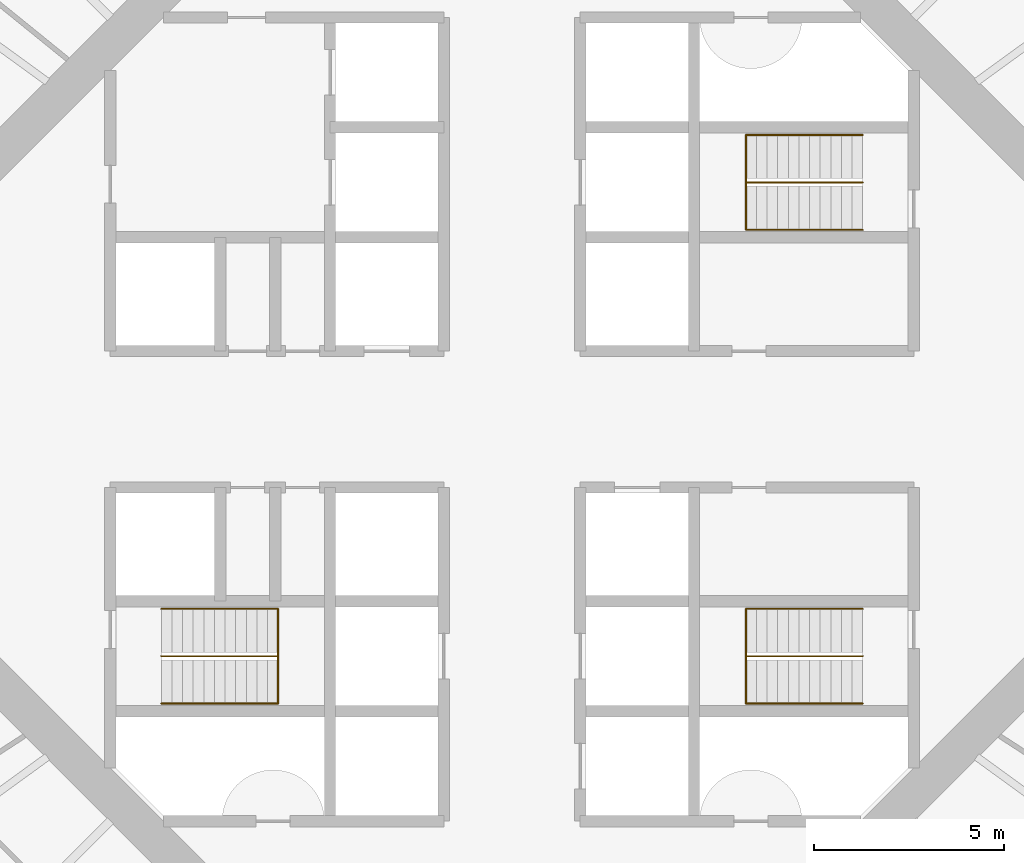
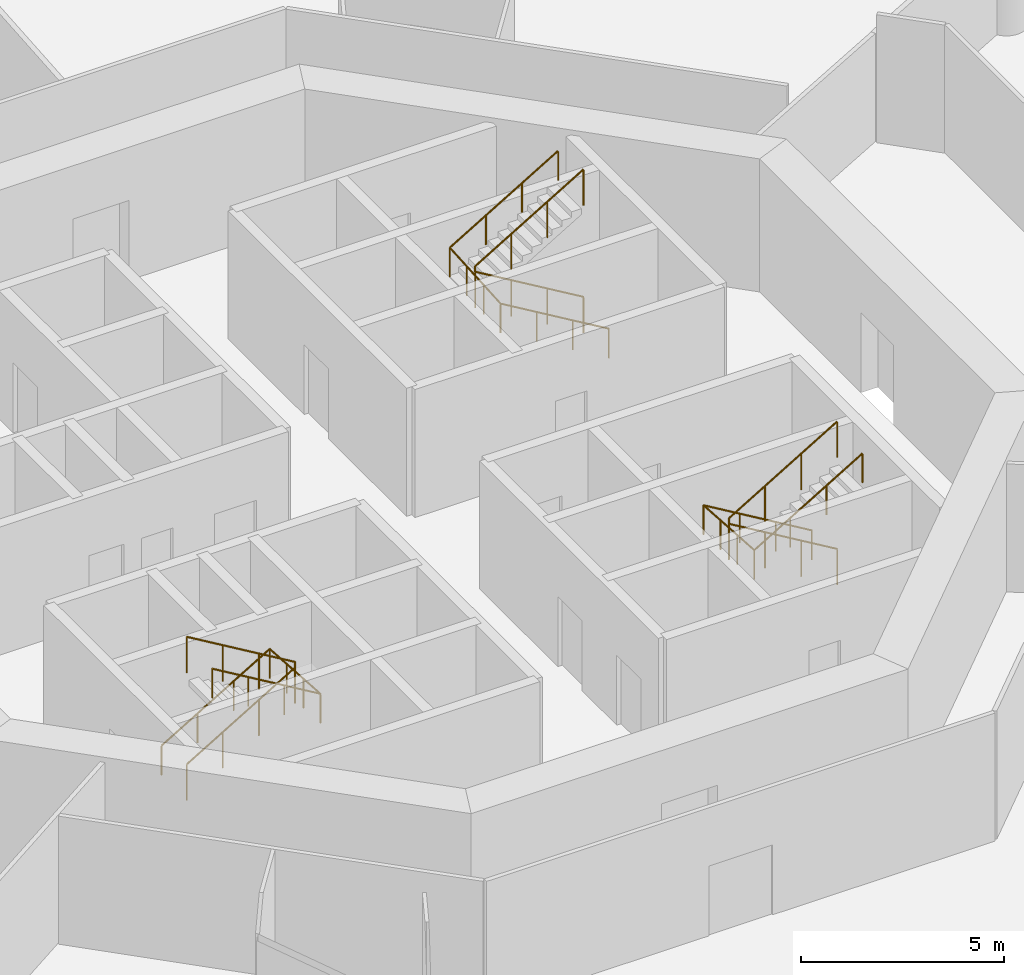
# One storey, part 13 of 13: 6 railings.
"""IFC4 building model written with IfcOpenShell, lengths in metres."""

import ifcopenshell
import ifcopenshell.guid

model = None  # the IFC model being written
_history = None  # IfcOwnerHistory: only IFC2X3 demands one
_inside = {}  # id of a spatial element -> (the spatial element, [elements in it])
_under = {}  # id of a project, library or spatial element -> (it, [spatial elements below it])
_declared = {}  # id of a project -> (the project, [libraries it declares])
_typed = {}  # id of a type object -> (the type object, [elements of that type])
_made_of = {}  # id of a material, layer set ... -> (it, [elements and type objects made of it])


def new_model(schema):
    """Start an empty IFC model of exactly this schema.

    Asked for "IFC4X3", IfcOpenShell would pick the latest addendum, in which some entities
    have other attributes; the version numbers below select the first issue.
    IFC2X3 requires an IfcOwnerHistory on every rooted entity: one is made here for all.
    """
    global model, _history
    if schema == "IFC4X3":
        model = ifcopenshell.file(schema_version=(4, 3, 0, 0))
    else:
        model = ifcopenshell.file(schema=schema)
    _inside.clear()
    _under.clear()
    _declared.clear()
    _typed.clear()
    _made_of.clear()
    _history = None
    if model.schema == "IFC2X3":
        org = make("IfcOrganization", Name="unknown")
        user = make(
            "IfcPersonAndOrganization",
            ThePerson=make("IfcPerson", FamilyName="unknown"),
            TheOrganization=org,
        )
        app = make(
            "IfcApplication",
            ApplicationDeveloper=org,
            Version="unknown",
            ApplicationFullName="unknown",
            ApplicationIdentifier="unknown",
        )
        _history = make(
            "IfcOwnerHistory",
            OwningUser=user,
            OwningApplication=app,
            ChangeAction="ADDED",
            CreationDate=0,
        )
    return model


def make(cls, **values):
    """One entity of the class cls with the attributes given. An attribute that is None is left unset."""
    return model.create_entity(
        cls, **{name: value for name, value in values.items() if value is not None}
    )


def rooted(cls, **values):
    """An entity with a GlobalId (a new one), such as an element, a storey or a relation."""
    return make(cls, GlobalId=ifcopenshell.guid.new(), OwnerHistory=_history, **values)


def si_unit(unit_type, name, prefix=None):
    """IfcSIUnit, for example si_unit("LENGTHUNIT", "METRE", prefix="MILLI")."""
    return make("IfcSIUnit", UnitType=unit_type, Prefix=prefix, Name=name)


def assignment(units):
    """IfcUnitAssignment: the units of a project."""
    return None if units is None else make("IfcUnitAssignment", Units=units)


def point(xyz):
    """IfcCartesianPoint."""
    return None if xyz is None else make("IfcCartesianPoint", Coordinates=xyz)


def direction(xyz):
    """IfcDirection."""
    return None if xyz is None else make("IfcDirection", DirectionRatios=xyz)


def frame(location, z_axis=None, x_axis=None):
    """IfcAxis2Placement3D, a coordinate frame: its origin and axes. An axis left out is left unset."""
    return make(
        "IfcAxis2Placement3D",
        Location=point(location),
        Axis=direction(z_axis),
        RefDirection=direction(x_axis),
    )


def frame_2d(location, x_axis=None):
    """IfcAxis2Placement2D, a coordinate frame in the plane: its origin and x axis."""
    return make(
        "IfcAxis2Placement2D", Location=point(location), RefDirection=direction(x_axis)
    )


def origin():
    """The frame at (0, 0, 0) with its axes left unset."""
    return frame((0.0, 0.0, 0.0))


def origin_2d():
    """The frame at (0, 0) in the plane with its x axis left unset."""
    return frame_2d((0.0, 0.0))


def place(relative_to, where):
    """IfcLocalPlacement: puts the frame where relative to a parent placement (None: the world)."""
    return make(
        "IfcLocalPlacement", PlacementRelTo=relative_to, RelativePlacement=where
    )


def context(
    kind, dimensions, precision=None, world=None, true_north=None, identifier=None
):
    """IfcGeometricRepresentationContext, for example the 3D "Model" context."""
    return make(
        "IfcGeometricRepresentationContext",
        ContextIdentifier=identifier,
        ContextType=kind,
        CoordinateSpaceDimension=dimensions,
        Precision=precision,
        WorldCoordinateSystem=world,
        TrueNorth=true_north,
    )


def subcontext(parent, identifier, kind, view, scale=None):
    """IfcGeometricRepresentationSubContext, for example "Body" below "Model"."""
    return make(
        "IfcGeometricRepresentationSubContext",
        ContextIdentifier=identifier,
        ContextType=kind,
        ParentContext=parent,
        TargetScale=scale,
        TargetView=view,
    )


def project(units=None, contexts=None):
    """IfcProject with its units and contexts."""
    return rooted(
        "IfcProject",
        Name="project",
        RepresentationContexts=contexts,
        UnitsInContext=assignment(units),
    )


def spatial(cls, under=None, at=None, **own):
    """A site, building, storey or space (cls), placed at a placement, below another one or the project."""
    s = rooted(cls, ObjectPlacement=at, **own)
    if under is not None:
        _under.setdefault(under.id(), (under, []))[1].append(s)
    return s


def profile(cls, at=None, kind="AREA", **sizes):
    """A parametric profile (cls). Its sizes go by their IFC names, for example OverallWidth=200.0."""
    return make(cls, ProfileType=kind, Position=at, **sizes)


def circle(**sizes):
    """IfcCircleProfileDef."""
    return profile("IfcCircleProfileDef", **sizes)


def extrude(swept, where, along, depth):
    """IfcExtrudedAreaSolid: the profile swept, set in the frame where, extruded along a direction by depth."""
    return make(
        "IfcExtrudedAreaSolid",
        SweptArea=swept,
        Position=where,
        ExtrudedDirection=direction(along),
        Depth=depth,
    )


def shape(context_of_items, identifier, shape_type, items):
    """IfcShapeRepresentation: the items that make up one representation, for example the "Body"."""
    return make(
        "IfcShapeRepresentation",
        ContextOfItems=context_of_items,
        RepresentationIdentifier=identifier,
        RepresentationType=shape_type,
        Items=items,
    )


def material(Name=None, Category=None):
    """IfcMaterial."""
    return make("IfcMaterial", Name=Name, Category=Category)


def made_of(thing, what):
    """Note that an element or type object is made of a material, layer set ...; save() writes the relation."""
    if what is not None:
        _made_of.setdefault(what.id(), (what, []))[1].append(thing)
    return thing


def type_object(cls, material=None, **own):
    """A type object (cls), such as IfcWallType, which elements share."""
    return made_of(rooted(cls, **own), material)


def element(
    cls,
    number,
    at=None,
    inside=None,
    cuts=None,
    type_object=None,
    material=None,
    context=None,
    identifier="Body",
    shape_type=None,
    held_by="IfcProductDefinitionShape",
    body=None,
    shapes=None,
    **own,
):
    """One element of the class cls, such as IfcWall. Its Tag is "e" and its number.

    at: its placement. inside: the storey or other place that contains it. cuts: it is an
    opening in that element (IfcRelVoidsElement). A single representation is given by context,
    identifier, shape_type and body (its items); several are given by shapes. held_by: the class
    of the entity that holds the representations. save() writes the other relations.
    """
    e = rooted(cls, Tag="e%d" % number, ObjectPlacement=at, **own)
    if body is not None:
        shapes = [shape(context, identifier, shape_type, body)]
    if shapes is not None:
        e.Representation = make(held_by, Representations=shapes)
    if inside is not None:
        _inside.setdefault(inside.id(), (inside, []))[1].append(e)
    if cuts is not None:
        rooted(
            "IfcRelVoidsElement", RelatingBuildingElement=cuts, RelatedOpeningElement=e
        )
    if type_object is not None:
        _typed.setdefault(type_object.id(), (type_object, []))[1].append(e)
    return made_of(e, material)


def aggregate(whole, parts):
    """IfcRelAggregates: a whole, such as a stair, and the parts it consists of."""
    return rooted("IfcRelAggregates", RelatingObject=whole, RelatedObjects=parts)


def save(model, path):
    """Write the relations noted so far, then the file.

    IfcRelAggregates (storeys below a building ...), IfcRelContainedInSpatialStructure (elements
    in a storey), IfcRelDefinesByType, IfcRelAssociatesMaterial and IfcRelDeclares: one each for
    every whole, place, type object, material and project.
    """
    for whole, parts in _under.values():
        aggregate(whole, parts)
    for where, things in _inside.values():
        rooted(
            "IfcRelContainedInSpatialStructure",
            RelatedElements=things,
            RelatingStructure=where,
        )
    for kind, things in _typed.values():
        rooted("IfcRelDefinesByType", RelatedObjects=things, RelatingType=kind)
    for what, things in _made_of.values():
        rooted("IfcRelAssociatesMaterial", RelatedObjects=things, RelatingMaterial=what)
    for by, libraries in _declared.values():
        rooted("IfcRelDeclares", RelatingContext=by, RelatedDefinitions=libraries)
    model.write(path)


model = new_model("IFC4")

# Units and contexts
model_context = context("Model", 3, precision=1e-05, world=origin(), true_north=direction((0.0, 1.0)))
body_context = subcontext(model_context, "Body", "Model", "MODEL_VIEW")
ifc_project = project(units=[si_unit("LENGTHUNIT", "METRE"), si_unit("AREAUNIT", "SQUARE_METRE"), si_unit("VOLUMEUNIT", "CUBIC_METRE"), si_unit("PLANEANGLEUNIT", "RADIAN"), si_unit("MASSUNIT", "GRAM", prefix="KILO")], contexts=[model_context])

# Site, building, storey
site_placement = place(None, origin())
site = spatial("IfcSite", under=ifc_project, at=site_placement, CompositionType="ELEMENT")
building_placement = place(site_placement, origin())
building = spatial("IfcBuilding", under=site, at=building_placement, Name="Entoto Ring Tower", CompositionType="ELEMENT")
storey_placement = place(building_placement, frame((0.0, 0.0, 156.0)))
storey = spatial("IfcBuildingStorey", under=building, at=storey_placement, Name="L35", CompositionType="ELEMENT", Elevation=156.0)

# Railings
ifc_material_1 = material(Name="Steel S275", Category="steel")
railing_type_1 = type_object("IfcRailingType", Name="Stair guard 1100 mm steel", PredefinedType="GUARDRAIL", material=ifc_material_1)
railing_1_placement = place(storey_placement, frame((99.25, 86.25, 0.166748046875)))
element("IfcRailing", 1, at=railing_1_placement, inside=storey, type_object=railing_type_1, Name="Guard ST1", PredefinedType="GUARDRAIL", context=body_context, shape_type="SweptSolid", body=[
    extrude(circle(Radius=0.02392578125, at=origin_2d()), frame((0.0, 0.0, 1.076171875), z_axis=(-0.859308565015, 0.0, 0.511457515432), x_axis=(0.0, -1.0, 0.0)), (0.0, 0.0, 1.0), 3.58447265625),
    extrude(circle(Radius=0.02392578125, at=origin_2d()), frame((-3.080078125, 0.0, 2.9091796875), z_axis=(0.0, 0.0, 1.0), x_axis=(1.0, 0.0, 0.0)), (0.0, 0.0, 1.0), 0.166748046875),
    extrude(circle(Radius=0.02392578125, at=origin_2d()), frame((-3.080078125, 0.0, 3.076171875), z_axis=(0.859308565015, 0.0, 0.511457515432), x_axis=(0.0, 1.0, 0.0)), (0.0, 0.0, 1.0), 3.58447265625),
    extrude(circle(Radius=0.02099609375, at=origin_2d()), origin(), (0.0, 0.0, 1.0), 1.052001953125),
    extrude(circle(Radius=0.02099609375, at=origin_2d()), frame((-1.026611328125, 0.0, 0.611083984375)), (0.0, 0.0, 1.0), 1.052001953125),
    extrude(circle(Radius=0.02099609375, at=origin_2d()), frame((-2.053466796875, 0.0, 1.22216796875)), (0.0, 0.0, 1.0), 1.052001953125),
    extrude(circle(Radius=0.02099609375, at=origin_2d()), frame((-3.080078125, 0.0, 1.833251953125)), (0.0, 0.0, 1.0), 1.052001953125),
    extrude(circle(Radius=0.02099609375, at=origin_2d()), frame((-3.080078125, 0.0, 2.0)), (0.0, 0.0, 1.0), 1.052001953125),
    extrude(circle(Radius=0.02099609375, at=origin_2d()), frame((-2.053466796875, 0.0, 2.611083984375)), (0.0, 0.0, 1.0), 1.052001953125),
    extrude(circle(Radius=0.02099609375, at=origin_2d()), frame((-1.026611328125, 0.0, 3.22216796875)), (0.0, 0.0, 1.0), 1.052001953125),
    extrude(circle(Radius=0.02099609375, at=origin_2d()), frame((0.0, 0.0, 3.833251953125)), (0.0, 0.0, 1.0), 1.052001953125),
])
railing_2_placement = place(storey_placement, frame((80.75, 73.75, 0.166748046875)))
element("IfcRailing", 2, at=railing_2_placement, inside=storey, type_object=railing_type_1, Name="Guard ST2", PredefinedType="GUARDRAIL", context=body_context, shape_type="SweptSolid", body=[
    extrude(circle(Radius=0.02392578125, at=origin_2d()), frame((0.0, 0.0, 1.076171875), z_axis=(0.859308565015, 0.0, 0.511457515432), x_axis=(0.0, 1.0, 0.0)), (0.0, 0.0, 1.0), 3.58447265625),
    extrude(circle(Radius=0.02392578125, at=origin_2d()), frame((3.080078125, 0.0, 2.9091796875), z_axis=(0.0, 0.0, 1.0), x_axis=(1.0, 0.0, 0.0)), (0.0, 0.0, 1.0), 0.166748046875),
    extrude(circle(Radius=0.02392578125, at=origin_2d()), frame((3.080078125, 0.0, 3.076171875), z_axis=(-0.859308565015, 0.0, 0.511457515432), x_axis=(0.0, -1.0, 0.0)), (0.0, 0.0, 1.0), 3.58447265625),
    extrude(circle(Radius=0.02099609375, at=origin_2d()), origin(), (0.0, 0.0, 1.0), 1.052001953125),
    extrude(circle(Radius=0.02099609375, at=origin_2d()), frame((1.026611328125, 0.0, 0.611083984375)), (0.0, 0.0, 1.0), 1.052001953125),
    extrude(circle(Radius=0.02099609375, at=origin_2d()), frame((2.053466796875, 0.0, 1.22216796875)), (0.0, 0.0, 1.0), 1.052001953125),
    extrude(circle(Radius=0.02099609375, at=origin_2d()), frame((3.080078125, 0.0, 1.833251953125)), (0.0, 0.0, 1.0), 1.052001953125),
    extrude(circle(Radius=0.02099609375, at=origin_2d()), frame((3.080078125, 0.0, 2.0)), (0.0, 0.0, 1.0), 1.052001953125),
    extrude(circle(Radius=0.02099609375, at=origin_2d()), frame((2.053466796875, 0.0, 2.611083984375)), (0.0, 0.0, 1.0), 1.052001953125),
    extrude(circle(Radius=0.02099609375, at=origin_2d()), frame((1.026611328125, 0.0, 3.22216796875)), (0.0, 0.0, 1.0), 1.052001953125),
    extrude(circle(Radius=0.02099609375, at=origin_2d()), frame((0.0, 0.0, 3.833251953125)), (0.0, 0.0, 1.0), 1.052001953125),
])
railing_3_placement = place(storey_placement, frame((99.25, 73.75, 0.166748046875)))
element("IfcRailing", 3, at=railing_3_placement, inside=storey, type_object=railing_type_1, Name="Guard ST3", PredefinedType="GUARDRAIL", context=body_context, shape_type="SweptSolid", body=[
    extrude(circle(Radius=0.02392578125, at=origin_2d()), frame((0.0, 0.0, 1.076171875), z_axis=(-0.859308565015, 0.0, 0.511457515432), x_axis=(0.0, -1.0, 0.0)), (0.0, 0.0, 1.0), 3.58447265625),
    extrude(circle(Radius=0.02392578125, at=origin_2d()), frame((-3.080078125, 0.0, 2.9091796875), z_axis=(0.0, 0.0, 1.0), x_axis=(1.0, 0.0, 0.0)), (0.0, 0.0, 1.0), 0.166748046875),
    extrude(circle(Radius=0.02392578125, at=origin_2d()), frame((-3.080078125, 0.0, 3.076171875), z_axis=(0.859308565015, 0.0, 0.511457515432), x_axis=(0.0, 1.0, 0.0)), (0.0, 0.0, 1.0), 3.58447265625),
    extrude(circle(Radius=0.02099609375, at=origin_2d()), origin(), (0.0, 0.0, 1.0), 1.052001953125),
    extrude(circle(Radius=0.02099609375, at=origin_2d()), frame((-1.026611328125, 0.0, 0.611083984375)), (0.0, 0.0, 1.0), 1.052001953125),
    extrude(circle(Radius=0.02099609375, at=origin_2d()), frame((-2.053466796875, 0.0, 1.22216796875)), (0.0, 0.0, 1.0), 1.052001953125),
    extrude(circle(Radius=0.02099609375, at=origin_2d()), frame((-3.080078125, 0.0, 1.833251953125)), (0.0, 0.0, 1.0), 1.052001953125),
    extrude(circle(Radius=0.02099609375, at=origin_2d()), frame((-3.080078125, 0.0, 2.0)), (0.0, 0.0, 1.0), 1.052001953125),
    extrude(circle(Radius=0.02099609375, at=origin_2d()), frame((-2.053466796875, 0.0, 2.611083984375)), (0.0, 0.0, 1.0), 1.052001953125),
    extrude(circle(Radius=0.02099609375, at=origin_2d()), frame((-1.026611328125, 0.0, 3.22216796875)), (0.0, 0.0, 1.0), 1.052001953125),
    extrude(circle(Radius=0.02099609375, at=origin_2d()), frame((0.0, 0.0, 3.833251953125)), (0.0, 0.0, 1.0), 1.052001953125),
])
ifc_material_2 = material(Name="Steel S275", Category="steel")
railing_type_2 = type_object("IfcRailingType", Name="Stair handrail 900 mm steel", PredefinedType="HANDRAIL", material=ifc_material_2)
railing_4_placement = place(storey_placement, frame((99.25, 85.0, 0.166748046875)))
element("IfcRailing", 4, at=railing_4_placement, inside=storey, type_object=railing_type_2, Name="Handrail ST1", PredefinedType="HANDRAIL", context=body_context, shape_type="SweptSolid", body=[
    extrude(circle(Radius=0.02392578125, at=origin_2d()), frame((0.0, 0.0, 0.8759765625), z_axis=(-0.859308565015, 0.0, 0.511457515432), x_axis=(0.0, -1.0, 0.0)), (0.0, 0.0, 1.0), 3.58447265625),
    extrude(circle(Radius=0.02392578125, at=origin_2d()), frame((-3.080078125, 0.0, 2.708984375), z_axis=(0.0, 0.997783001586, 0.066551346688), x_axis=(-1.0, 0.0, 0.0)), (0.0, 0.0, 1.0), 2.505615234375),
    extrude(circle(Radius=0.02392578125, at=origin_2d()), frame((-3.080078125, 2.5, 2.8759765625), z_axis=(0.859308565015, 0.0, 0.511457515432), x_axis=(0.0, 1.0, 0.0)), (0.0, 0.0, 1.0), 3.58447265625),
    extrude(circle(Radius=0.02099609375, at=origin_2d()), origin(), (0.0, 0.0, 1.0), 0.851806640625),
    extrude(circle(Radius=0.02099609375, at=origin_2d()), frame((-1.026611328125, 0.0, 0.611083984375)), (0.0, 0.0, 1.0), 0.851806640625),
    extrude(circle(Radius=0.02099609375, at=origin_2d()), frame((-2.053466796875, 0.0, 1.22216796875)), (0.0, 0.0, 1.0), 0.851806640625),
    extrude(circle(Radius=0.02099609375, at=origin_2d()), frame((-3.080078125, 0.0, 1.833251953125)), (0.0, 0.0, 1.0), 0.851806640625),
    extrude(circle(Radius=0.02099609375, at=origin_2d()), frame((-3.080078125, 0.833251953125, 1.888916015625)), (0.0, 0.0, 1.0), 0.851806640625),
    extrude(circle(Radius=0.02099609375, at=origin_2d()), frame((-3.080078125, 1.666748046875, 1.9443359375)), (0.0, 0.0, 1.0), 0.851806640625),
    extrude(circle(Radius=0.02099609375, at=origin_2d()), frame((-3.080078125, 2.5, 2.0)), (0.0, 0.0, 1.0), 0.851806640625),
    extrude(circle(Radius=0.02099609375, at=origin_2d()), frame((-2.053466796875, 2.5, 2.611083984375)), (0.0, 0.0, 1.0), 0.851806640625),
    extrude(circle(Radius=0.02099609375, at=origin_2d()), frame((-1.026611328125, 2.5, 3.22216796875)), (0.0, 0.0, 1.0), 0.851806640625),
    extrude(circle(Radius=0.02099609375, at=origin_2d()), frame((0.0, 2.5, 3.833251953125)), (0.0, 0.0, 1.0), 0.851806640625),
])
railing_5_placement = place(storey_placement, frame((80.75, 75.0, 0.166748046875)))
element("IfcRailing", 5, at=railing_5_placement, inside=storey, type_object=railing_type_2, Name="Handrail ST2", PredefinedType="HANDRAIL", context=body_context, shape_type="SweptSolid", body=[
    extrude(circle(Radius=0.02392578125, at=origin_2d()), frame((0.0, 0.0, 0.8759765625), z_axis=(0.859308565015, 0.0, 0.511457515432), x_axis=(0.0, 1.0, 0.0)), (0.0, 0.0, 1.0), 3.58447265625),
    extrude(circle(Radius=0.02392578125, at=origin_2d()), frame((3.080078125, 0.0, 2.708984375), z_axis=(0.0, -0.997783001586, 0.066551346688), x_axis=(1.0, 0.0, 0.0)), (0.0, 0.0, 1.0), 2.505615234375),
    extrude(circle(Radius=0.02392578125, at=origin_2d()), frame((3.080078125, -2.5, 2.8759765625), z_axis=(-0.859308565015, 0.0, 0.511457515432), x_axis=(0.0, -1.0, 0.0)), (0.0, 0.0, 1.0), 3.58447265625),
    extrude(circle(Radius=0.02099609375, at=origin_2d()), origin(), (0.0, 0.0, 1.0), 0.851806640625),
    extrude(circle(Radius=0.02099609375, at=origin_2d()), frame((1.026611328125, 0.0, 0.611083984375)), (0.0, 0.0, 1.0), 0.851806640625),
    extrude(circle(Radius=0.02099609375, at=origin_2d()), frame((2.053466796875, 0.0, 1.22216796875)), (0.0, 0.0, 1.0), 0.851806640625),
    extrude(circle(Radius=0.02099609375, at=origin_2d()), frame((3.080078125, 0.0, 1.833251953125)), (0.0, 0.0, 1.0), 0.851806640625),
    extrude(circle(Radius=0.02099609375, at=origin_2d()), frame((3.080078125, -0.833251953125, 1.888916015625)), (0.0, 0.0, 1.0), 0.851806640625),
    extrude(circle(Radius=0.02099609375, at=origin_2d()), frame((3.080078125, -1.666748046875, 1.9443359375)), (0.0, 0.0, 1.0), 0.851806640625),
    extrude(circle(Radius=0.02099609375, at=origin_2d()), frame((3.080078125, -2.5, 2.0)), (0.0, 0.0, 1.0), 0.851806640625),
    extrude(circle(Radius=0.02099609375, at=origin_2d()), frame((2.053466796875, -2.5, 2.611083984375)), (0.0, 0.0, 1.0), 0.851806640625),
    extrude(circle(Radius=0.02099609375, at=origin_2d()), frame((1.026611328125, -2.5, 3.22216796875)), (0.0, 0.0, 1.0), 0.851806640625),
    extrude(circle(Radius=0.02099609375, at=origin_2d()), frame((0.0, -2.5, 3.833251953125)), (0.0, 0.0, 1.0), 0.851806640625),
])
railing_6_placement = place(storey_placement, frame((99.25, 75.0, 0.166748046875)))
element("IfcRailing", 6, at=railing_6_placement, inside=storey, type_object=railing_type_2, Name="Handrail ST3", PredefinedType="HANDRAIL", context=body_context, shape_type="SweptSolid", body=[
    extrude(circle(Radius=0.02392578125, at=origin_2d()), frame((0.0, 0.0, 0.8759765625), z_axis=(-0.859308565015, 0.0, 0.511457515432), x_axis=(0.0, -1.0, 0.0)), (0.0, 0.0, 1.0), 3.58447265625),
    extrude(circle(Radius=0.02392578125, at=origin_2d()), frame((-3.080078125, 0.0, 2.708984375), z_axis=(0.0, -0.997783001586, 0.066551346688), x_axis=(1.0, 0.0, 0.0)), (0.0, 0.0, 1.0), 2.505615234375),
    extrude(circle(Radius=0.02392578125, at=origin_2d()), frame((-3.080078125, -2.5, 2.8759765625), z_axis=(0.859308565015, 0.0, 0.511457515432), x_axis=(0.0, 1.0, 0.0)), (0.0, 0.0, 1.0), 3.58447265625),
    extrude(circle(Radius=0.02099609375, at=origin_2d()), origin(), (0.0, 0.0, 1.0), 0.851806640625),
    extrude(circle(Radius=0.02099609375, at=origin_2d()), frame((-1.026611328125, 0.0, 0.611083984375)), (0.0, 0.0, 1.0), 0.851806640625),
    extrude(circle(Radius=0.02099609375, at=origin_2d()), frame((-2.053466796875, 0.0, 1.22216796875)), (0.0, 0.0, 1.0), 0.851806640625),
    extrude(circle(Radius=0.02099609375, at=origin_2d()), frame((-3.080078125, 0.0, 1.833251953125)), (0.0, 0.0, 1.0), 0.851806640625),
    extrude(circle(Radius=0.02099609375, at=origin_2d()), frame((-3.080078125, -0.833251953125, 1.888916015625)), (0.0, 0.0, 1.0), 0.851806640625),
    extrude(circle(Radius=0.02099609375, at=origin_2d()), frame((-3.080078125, -1.666748046875, 1.9443359375)), (0.0, 0.0, 1.0), 0.851806640625),
    extrude(circle(Radius=0.02099609375, at=origin_2d()), frame((-3.080078125, -2.5, 2.0)), (0.0, 0.0, 1.0), 0.851806640625),
    extrude(circle(Radius=0.02099609375, at=origin_2d()), frame((-2.053466796875, -2.5, 2.611083984375)), (0.0, 0.0, 1.0), 0.851806640625),
    extrude(circle(Radius=0.02099609375, at=origin_2d()), frame((-1.026611328125, -2.5, 3.22216796875)), (0.0, 0.0, 1.0), 0.851806640625),
    extrude(circle(Radius=0.02099609375, at=origin_2d()), frame((0.0, -2.5, 3.833251953125)), (0.0, 0.0, 1.0), 0.851806640625),
])

save(model, "model.ifc")
